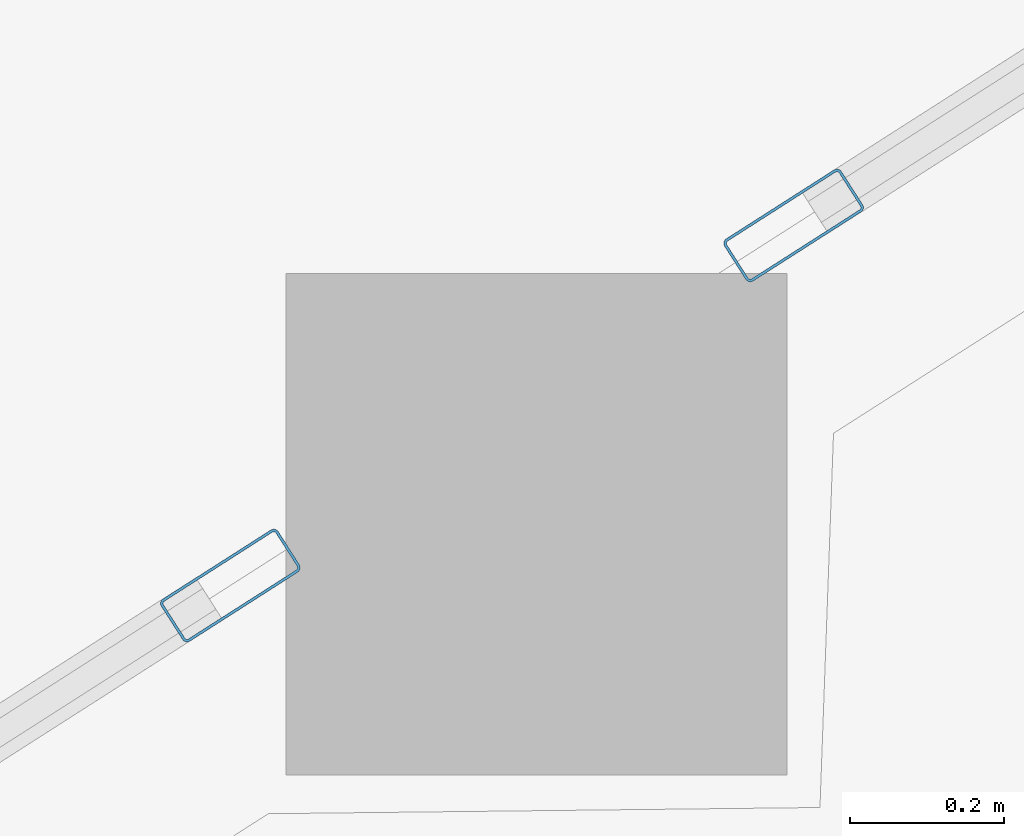
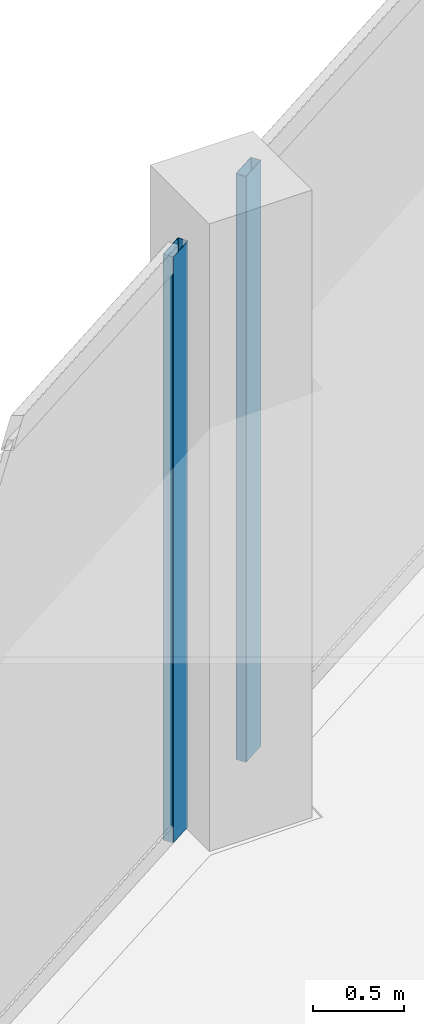
# One storey, part 16 of 45: 2 members, 2 elements without a shape of their own.
"""IFC4 building model written with IfcOpenShell, lengths in metres."""

from ifc_helpers import new_model, si_unit, direction, frame, origin, origin_2d, place, context, subcontext, project, spatial, hollow_rectangle, extrude, material, layer, layer_set, material_profile, profile_set, type_object, element, aggregate, save


model = new_model("IFC4")

# Units and contexts
model_context = context("Model", 3, precision=1e-05, world=origin(), true_north=direction((0.0, 1.0)))
body_context = subcontext(model_context, "Body", "Model", "MODEL_VIEW")
ifc_project = project(units=[si_unit("LENGTHUNIT", "METRE"), si_unit("AREAUNIT", "SQUARE_METRE"), si_unit("VOLUMEUNIT", "CUBIC_METRE"), si_unit("PLANEANGLEUNIT", "RADIAN"), si_unit("MASSUNIT", "GRAM", prefix="KILO")], contexts=[model_context])

# Site, building, storey
site_placement = place(None, origin())
site = spatial("IfcSite", under=ifc_project, at=site_placement, CompositionType="ELEMENT")
building_placement = place(site_placement, origin())
building = spatial("IfcBuilding", under=site, at=building_placement, Name="Qorvath Tower", CompositionType="ELEMENT")
storey_placement = place(building_placement, frame((0.0, 0.0, 49.199951171875)))
storey = spatial("IfcBuildingStorey", under=building, at=storey_placement, Name="L10", CompositionType="ELEMENT", Elevation=49.199951171875)

# Curtain wall, member
ifc_material_1 = material(Name="Anodised aluminium and triple low-E glass", Category="aluminium")
ifc_layer = layer(ifc_material_1, 0.179931640625)
ifc_layer_set = layer_set([ifc_layer], Name="CW-SYS-2")
curtain_wall_type = type_object("IfcCurtainWallType", Name="CW-SYS-2", PredefinedType="NOTDEFINED", material=ifc_layer_set)
curtain_wall_1_placement = place(storey_placement, origin())
curtain_wall_1 = element("IfcCurtainWall", 1, at=curtain_wall_1_placement, inside=storey, type_object=curtain_wall_type, Name="Curtain Wall CW-2 CW-T-L10-16.2", PredefinedType="NOTDEFINED")
ifc_material_2 = material(Name="Anodised aluminium 6063-T6", Category="aluminium")
ifc_material_profile = material_profile(ifc_material_2, hollow_rectangle(XDim=0.06494140625, YDim=0.179931640625, WallThickness=0.00341796875, InnerFilletRadius=0.00341796875, OuterFilletRadius=0.007080078125, at=origin_2d()), Name="CWM 180x65")
ifc_profile_set = profile_set([ifc_material_profile], Name="Anodised aluminium 6063-T6")
member_type = type_object("IfcMemberType", Name="CWM-180", PredefinedType="MULLION", material=ifc_profile_set)
member_1_placement = place(storey_placement, frame((-39.999267578125, 17.34326171875, 0.0), z_axis=(0.0, 0.0, 1.0), x_axis=(0.538541095387, -0.842599245537, 0.0)))
member_1 = element("IfcMember", 2, at=member_1_placement, type_object=member_type, Name="CW-2 mullion 5", PredefinedType="MULLION", context=body_context, shape_type="SweptSolid", body=[
    extrude(hollow_rectangle(XDim=0.06494140625, YDim=0.179931640625, WallThickness=0.00341796875, InnerFilletRadius=0.00341796875, OuterFilletRadius=0.007080078125, at=origin_2d()), origin(), (0.0, 0.0, 1.0), 3.920166015625),
])
aggregate(curtain_wall_1, [member_1])

curtain_wall_2_placement = place(storey_placement, origin())
curtain_wall_2 = element("IfcCurtainWall", 3, at=curtain_wall_2_placement, inside=storey, type_object=curtain_wall_type, Name="Curtain Wall CW-2 CW-T-L10-16.3", PredefinedType="NOTDEFINED")
member_2_placement = place(storey_placement, frame((-40.729736328125, 16.876220703125, 0.0), z_axis=(0.0, 0.0, 1.0), x_axis=(0.538531853978, -0.842605152044, 0.0)))
member_2 = element("IfcMember", 4, at=member_2_placement, type_object=member_type, Name="CW-2 mullion 1", PredefinedType="MULLION", context=body_context, shape_type="SweptSolid", body=[
    extrude(hollow_rectangle(XDim=0.06494140625, YDim=0.179931640625, WallThickness=0.00341796875, InnerFilletRadius=0.00341796875, OuterFilletRadius=0.007080078125, at=origin_2d()), origin(), (0.0, 0.0, 1.0), 3.920166015625),
])
aggregate(curtain_wall_2, [member_2])

save(model, "model.ifc")
